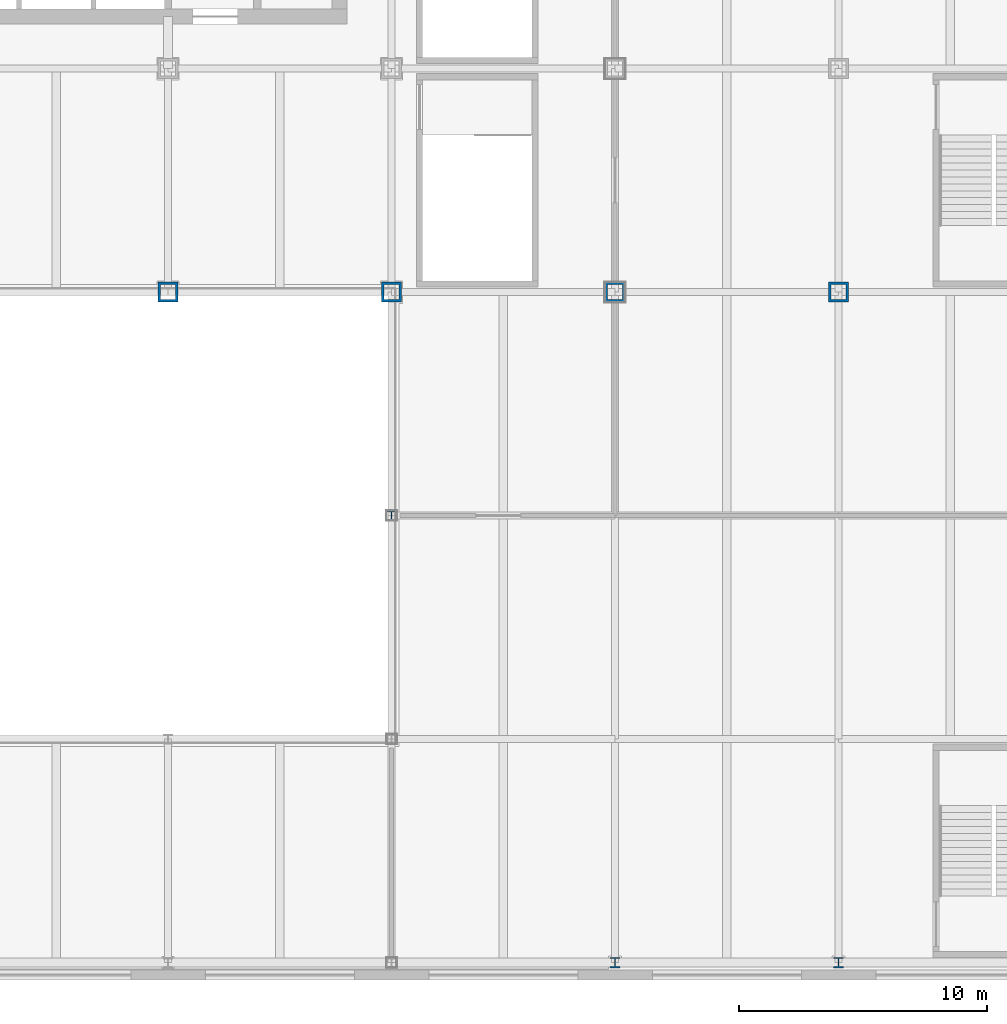
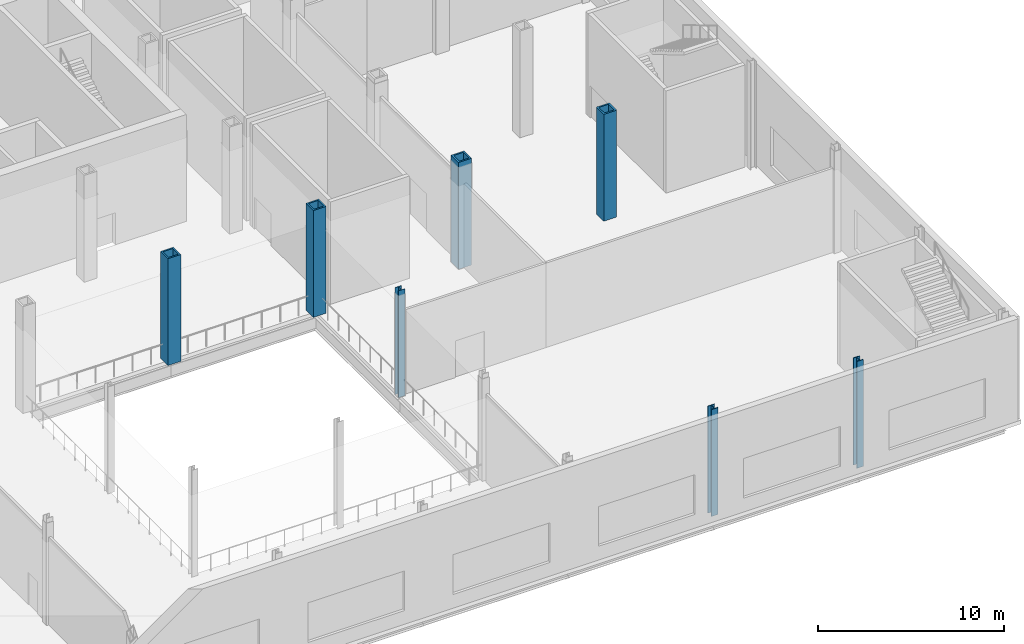
# One storey, part 2 of 32: 7 columns.
"""IFC4 building model written with IfcOpenShell, lengths in metres."""

from ifc_helpers import new_model, si_unit, direction, frame, origin, origin_2d, place, context, subcontext, project, spatial, hollow_rectangle, i_section, extrude, material, material_profile, profile_set, type_object, element, save


model = new_model("IFC4")

# Units and contexts
model_context = context("Model", 3, precision=1e-05, world=origin(), true_north=direction((0.0, 1.0)))
body_context = subcontext(model_context, "Body", "Model", "MODEL_VIEW")
ifc_project = project(units=[si_unit("LENGTHUNIT", "METRE"), si_unit("AREAUNIT", "SQUARE_METRE"), si_unit("VOLUMEUNIT", "CUBIC_METRE"), si_unit("PLANEANGLEUNIT", "RADIAN"), si_unit("MASSUNIT", "GRAM", prefix="KILO")], contexts=[model_context])

# Site, building, storey
site_placement = place(None, origin())
site = spatial("IfcSite", under=ifc_project, at=site_placement, CompositionType="ELEMENT")
building_placement = place(site_placement, origin())
building = spatial("IfcBuilding", under=site, at=building_placement, Name="Loomwork Tower", CompositionType="ELEMENT")
storey_placement = place(building_placement, frame((0.0, 0.0, 16.0)))
storey = spatial("IfcBuildingStorey", under=building, at=storey_placement, Name="L03", CompositionType="ELEMENT", Elevation=16.0)

# Columns
ifc_material_1 = material(Name="Steel ASTM A572 Grade 50 plate", Category="steel")
ifc_material_profile_1 = material_profile(ifc_material_1, hollow_rectangle(XDim=0.800048828125, YDim=0.800048828125, WallThickness=0.10009765625, at=origin_2d()), Name="BOX800x100")
ifc_profile_set_1 = profile_set([ifc_material_profile_1], Name="Steel ASTM A572 Grade 50 plate")
column_type_1 = type_object("IfcColumnType", Name="EXOSKELETON PIER BOX800x100", PredefinedType="COLUMN", material=ifc_profile_set_1)
for number, where, z_axis, x_axis, name in (
    (1, (27.0, 0.0, 0.0), (0.0, 0.0, 1.0), (1.0, 0.0, 0.0), "Exoskeleton Pier D/5 L03"),
    (2, (36.0, 0.0, 0.0), (0.0, 0.0, 1.0), (1.0, 0.0, 0.0), "Exoskeleton Pier D/6 L03"),
    (3, (45.0, 0.0, 0.0), (0.0, 0.0, 1.0), (1.0, 0.0, 0.0), "Exoskeleton Pier D/7 L03"),
    (4, (54.0, 0.0, 0.0), (0.0, 0.0, 1.0), (1.0, 0.0, 0.0), "Exoskeleton Pier D/8 L03"),
):
    element("IfcColumn", number, at=place(storey_placement, frame(where, z_axis=z_axis, x_axis=x_axis)), inside=storey, type_object=column_type_1, Name=name, PredefinedType="COLUMN", context=body_context, shape_type="SweptSolid", body=[
        extrude(hollow_rectangle(XDim=0.800048828125, YDim=0.800048828125, WallThickness=0.10009765625, at=origin_2d()), origin(), (0.0, 0.0, 1.0), 7.0),
    ])
ifc_material_2 = material(Name="Steel ASTM A992", Category="steel")
ifc_material_profile_2 = material_profile(ifc_material_2, i_section(OverallWidth=0.393798828125, OverallDepth=0.3759765625, WebThickness=0.017333984375, FlangeThickness=0.027587890625, at=origin_2d()), Name="W14x145")
ifc_profile_set_2 = profile_set([ifc_material_profile_2], Name="Steel ASTM A992")
column_type_2 = type_object("IfcColumnType", Name="PODIUM COLUMN W14x145", PredefinedType="COLUMN", material=ifc_profile_set_2)
column_placement = place(storey_placement, frame((36.0, -9.0, 0.0), z_axis=(0.0, 0.0, 1.0), x_axis=(1.0, 0.0, 0.0)))
element("IfcColumn", 5, at=column_placement, inside=storey, type_object=column_type_2, Name="Podium Column C/6 L03", PredefinedType="COLUMN", context=body_context, shape_type="SweptSolid", body=[
    extrude(i_section(OverallWidth=0.393798828125, OverallDepth=0.3759765625, WebThickness=0.017333984375, FlangeThickness=0.027587890625, at=origin_2d()), origin(), (0.0, 0.0, 1.0), 7.0),
])
ifc_material_3 = material(Name="Steel ASTM A992", Category="steel")
ifc_material_profile_3 = material_profile(ifc_material_3, i_section(OverallWidth=0.408935546875, OverallDepth=0.424072265625, WebThickness=0.03271484375, FlangeThickness=0.052490234375, at=origin_2d()), Name="W14x283")
ifc_profile_set_3 = profile_set([ifc_material_profile_3], Name="Steel ASTM A992")
column_type_3 = type_object("IfcColumnType", Name="PODIUM COLUMN W14x283", PredefinedType="COLUMN", material=ifc_profile_set_3)
for number, where, z_axis, x_axis, name in (
    (6, (45.0, -27.0, 0.0), (0.0, 0.0, 1.0), (1.0, 0.0, 0.0), "Podium Column A/7 L03"),
    (7, (54.0, -27.0, 0.0), (0.0, 0.0, 1.0), (1.0, 0.0, 0.0), "Podium Column A/8 L03"),
):
    element("IfcColumn", number, at=place(storey_placement, frame(where, z_axis=z_axis, x_axis=x_axis)), inside=storey, type_object=column_type_3, Name=name, PredefinedType="COLUMN", context=body_context, shape_type="SweptSolid", body=[
        extrude(i_section(OverallWidth=0.408935546875, OverallDepth=0.424072265625, WebThickness=0.03271484375, FlangeThickness=0.052490234375, at=origin_2d()), origin(), (0.0, 0.0, 1.0), 7.0),
    ])

save(model, "model.ifc")
